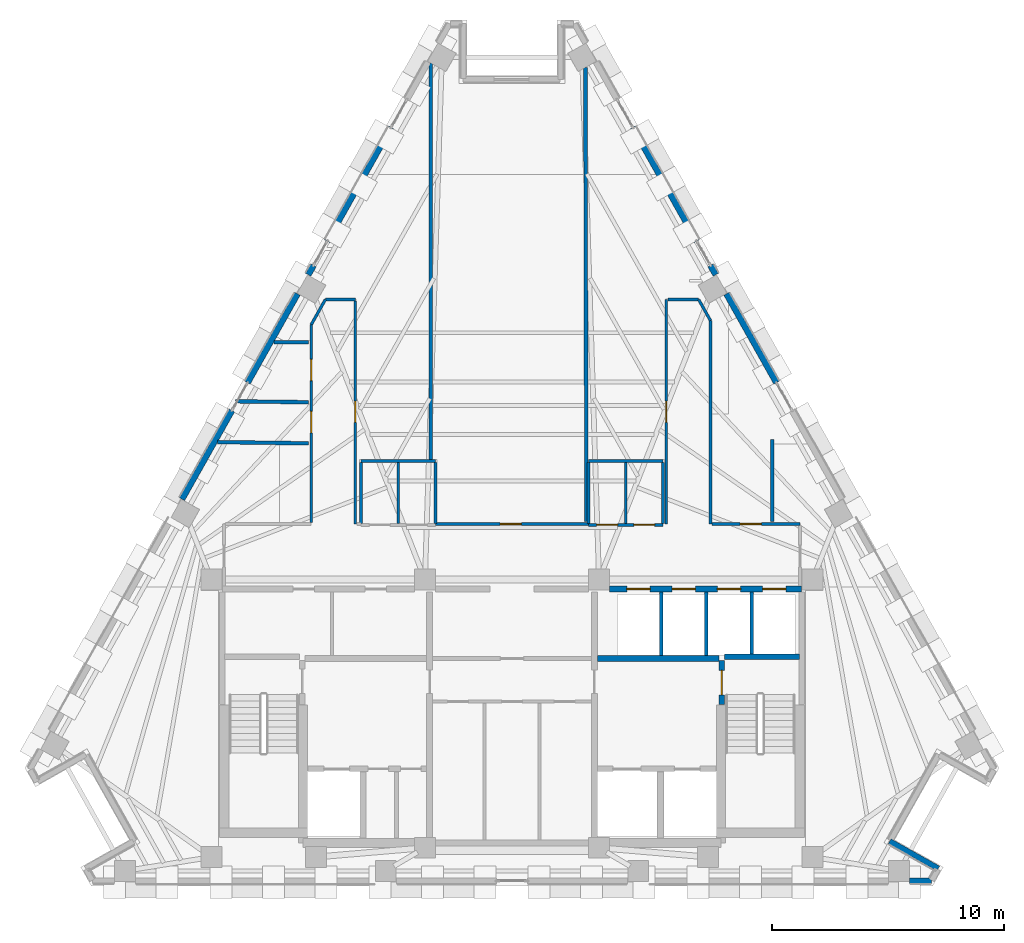
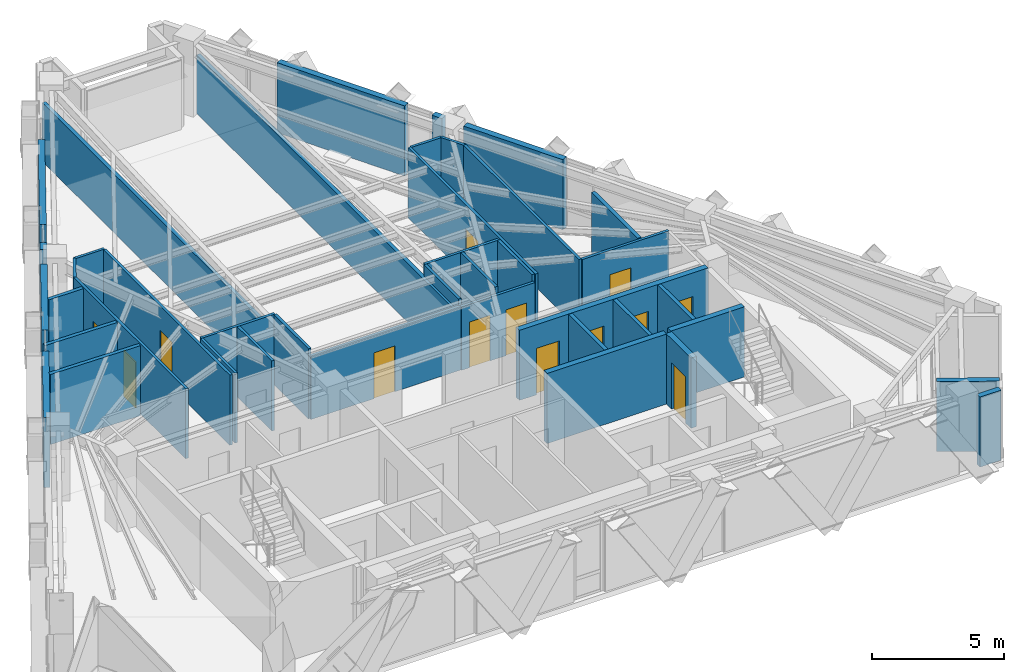
# One storey, part 8 of 12: 41 walls, 13 doors, 13 openings.
"""IFC4 building model written with IfcOpenShell, lengths in metres."""

from ifc_helpers import new_model, si_unit, direction, frame, frame_2d, origin, place, context, subcontext, project, spatial, rectangle, extrude, material, layer, layer_set, type_object, element, fill, save


model = new_model("IFC4")

# Units and contexts
model_context = context("Model", 3, precision=1e-05, world=origin(), true_north=direction((0.0, 1.0)))
body_context = subcontext(model_context, "Body", "Model", "MODEL_VIEW")
ifc_project = project(units=[si_unit("LENGTHUNIT", "METRE"), si_unit("AREAUNIT", "SQUARE_METRE"), si_unit("VOLUMEUNIT", "CUBIC_METRE"), si_unit("PLANEANGLEUNIT", "RADIAN"), si_unit("MASSUNIT", "GRAM", prefix="KILO")], contexts=[model_context])

# Site, building, storey
site_placement = place(None, origin())
site = spatial("IfcSite", under=ifc_project, at=site_placement, CompositionType="ELEMENT")
building_placement = place(site_placement, origin())
building = spatial("IfcBuilding", under=site, at=building_placement, Name="Quenlor Broadcast Tower", CompositionType="ELEMENT")
storey_placement = place(building_placement, frame((0.0, 0.0, 200.89990234375)))
storey = spatial("IfcBuildingStorey", under=building, at=storey_placement, Name="L55", CompositionType="ELEMENT", Elevation=200.89990234375)

# Wall, opening, door
ifc_material_1 = material(Name="Concrete C40/50", Category="concrete")
ifc_layer_1 = layer(ifc_material_1, 0.25)
ifc_layer_set_1 = layer_set([ifc_layer_1], Name="Fire Rated Concrete C40/50 Core Wall 250")
wall_type_1 = type_object("IfcWallType", Name="Fire Rated Concrete C40/50 Core Wall 250", PredefinedType="PARTITIONING", material=ifc_layer_set_1)
wall_1_placement = place(storey_placement, frame((9.0400390625, -10.179931640625, 0.0), z_axis=(0.0, 0.0, 1.0), x_axis=(0.0, 1.0, 0.0)))
wall_1 = element("IfcWall", 1, at=wall_1_placement, inside=storey, type_object=wall_type_1, Name="L55 Interior Wall CW-ST2-DR", PredefinedType="PARTITIONING", context=body_context, shape_type="SweptSolid", body=[
    extrude(rectangle(XDim=1.89990234375, YDim=0.25, at=frame_2d((0.949951171875, 0.0))), origin(), (0.0, 0.0, 1.0), 3.25),
])
opening_1_placement = place(wall_1_placement, frame((0.419921875, 0.0, 0.0)))
opening_1 = element("IfcOpeningElement", 2, at=opening_1_placement, cuts=wall_1, Name="Opening FD-1", PredefinedType="OPENING", context=body_context, shape_type="SweptSolid", body=[
    extrude(rectangle(XDim=1.050048828125, YDim=2.14990234375, at=frame_2d((0.52490234375, 1.074951171875))), frame((0.0, 0.135009765625, 0.0), z_axis=(0.0, -1.0, 0.0), x_axis=(1.0, 0.0, 0.0)), (0.0, 0.0, 1.0), 0.27001953125),
])
ifc_material_2 = material(Name="Fire Rated Steel Door Leaf", Category="steel")
door_type_1 = type_object("IfcDoorType", Name="Fire Isolated Stair Door 1050x2150", OperationType="NOTDEFINED", PredefinedType="DOOR", material=ifc_material_2)
door_1_placement = place(opening_1_placement, origin())
door_1 = element("IfcDoor", 3, at=door_1_placement, inside=storey, type_object=door_type_1, Name="L55 Door DR-ST2", OperationType="SINGLE_SWING_RIGHT", OverallHeight=2.14990234375, OverallWidth=1.050048828125, PredefinedType="DOOR", context=body_context, shape_type="SweptSolid", body=[
    extrude(rectangle(XDim=1.050048828125, YDim=2.14990234375, at=frame_2d((0.52490234375, 1.074951171875))), frame((0.0, 0.02490234375, 0.0), z_axis=(0.0, -1.0, 0.0), x_axis=(1.0, 0.0, 0.0)), (0.0, 0.0, 1.0), 0.050048828125),
])
fill(opening_1, door_1)

# Walls
wall_2_placement = place(storey_placement, frame((9.159912109375, -8.1201171875, 0.0), z_axis=(0.0, 0.0, 1.0), x_axis=(1.0, 0.0, 0.0)))
element("IfcWall", 4, at=wall_2_placement, inside=storey, type_object=wall_type_1, Name="L55 Interior Wall CW-ST2-N", PredefinedType="PARTITIONING", context=body_context, shape_type="SweptSolid", body=[
    extrude(rectangle(XDim=3.219970703125, YDim=0.25, at=frame_2d((1.60986328125, 0.0))), origin(), (0.0, 0.0, 1.0), 3.25),
])
wall_3_placement = place(storey_placement, frame((3.679931640625, -8.199951171875, 0.0), z_axis=(0.0, 0.0, 1.0), x_axis=(1.0, 0.0, 0.0)))
element("IfcWall", 5, at=wall_3_placement, inside=storey, type_object=wall_type_1, Name="L55 Interior Wall CW-FFE-N", PredefinedType="PARTITIONING", context=body_context, shape_type="SweptSolid", body=[
    extrude(rectangle(XDim=5.239990234375, YDim=0.25, at=frame_2d((2.6201171875, 0.0))), origin(), (0.0, 0.0, 1.0), 3.25),
])

# Wall, openings, doors
wall_4_placement = place(storey_placement, frame((4.201904296875, -5.199951171875, 0.0), z_axis=(0.0, 0.0, 1.0), x_axis=(1.0, 0.0, 0.0)))
wall_4 = element("IfcWall", 6, at=wall_4_placement, inside=storey, type_object=wall_type_1, Name="L55 Interior Wall CW-N-E", PredefinedType="PARTITIONING", context=body_context, shape_type="SweptSolid", body=[
    extrude(rectangle(XDim=8.278076171875, YDim=0.25, at=frame_2d((4.13916015625, 0.0))), origin(), (0.0, 0.0, 1.0), 3.25),
])
opening_2_placement = place(wall_4_placement, frame((0.748046875, 0.0, 0.0)))
opening_2 = element("IfcOpeningElement", 7, at=opening_2_placement, cuts=wall_4, Name="Opening LD-PL-H1", PredefinedType="OPENING", context=body_context, shape_type="SweptSolid", body=[
    extrude(rectangle(XDim=1.0, YDim=2.14990234375, at=frame_2d((0.5, 1.074951171875))), frame((0.0, 0.135009765625, 0.0), z_axis=(0.0, -1.0, 0.0), x_axis=(1.0, 0.0, 0.0)), (0.0, 0.0, 1.0), 0.27001953125),
])
opening_3_placement = place(wall_4_placement, frame((2.697998046875, 0.0, 0.0)))
opening_3 = element("IfcOpeningElement", 8, at=opening_3_placement, cuts=wall_4, Name="Opening LD-PL-H2", PredefinedType="OPENING", context=body_context, shape_type="SweptSolid", body=[
    extrude(rectangle(XDim=1.0, YDim=2.14990234375, at=frame_2d((0.5, 1.074951171875))), frame((0.0, 0.135009765625, 0.0), z_axis=(0.0, -1.0, 0.0), x_axis=(1.0, 0.0, 0.0)), (0.0, 0.0, 1.0), 0.27001953125),
])
opening_4_placement = place(wall_4_placement, frame((4.64794921875, 0.0, 0.0)))
opening_4 = element("IfcOpeningElement", 9, at=opening_4_placement, cuts=wall_4, Name="Opening LD-PL-H3", PredefinedType="OPENING", context=body_context, shape_type="SweptSolid", body=[
    extrude(rectangle(XDim=1.0, YDim=2.14990234375, at=frame_2d((0.5, 1.074951171875))), frame((0.0, 0.135009765625, 0.0), z_axis=(0.0, -1.0, 0.0), x_axis=(1.0, 0.0, 0.0)), (0.0, 0.0, 1.0), 0.27001953125),
])
opening_5_placement = place(wall_4_placement, frame((6.597900390625, 0.0, 0.0)))
opening_5 = element("IfcOpeningElement", 10, at=opening_5_placement, cuts=wall_4, Name="Opening LD-PL-H4", PredefinedType="OPENING", context=body_context, shape_type="SweptSolid", body=[
    extrude(rectangle(XDim=1.0, YDim=2.14990234375, at=frame_2d((0.5, 1.074951171875))), frame((0.0, 0.135009765625, 0.0), z_axis=(0.0, -1.0, 0.0), x_axis=(1.0, 0.0, 0.0)), (0.0, 0.0, 1.0), 0.27001953125),
])
ifc_material_3 = material(Name="Brushed Stainless Steel", Category="steel")
door_type_2 = type_object("IfcDoorType", Name="Passenger Lift Sliding Landing Door 1000x2150", OperationType="NOTDEFINED", PredefinedType="DOOR", material=ifc_material_3)
door_2_placement = place(opening_2_placement, origin())
door_2 = element("IfcDoor", 11, at=door_2_placement, inside=storey, type_object=door_type_2, Name="L55 Door LD-PL-H1", OperationType="SLIDING_TO_RIGHT", OverallHeight=2.14990234375, OverallWidth=1.0, PredefinedType="DOOR", context=body_context, shape_type="SweptSolid", body=[
    extrude(rectangle(XDim=1.0, YDim=2.14990234375, at=frame_2d((0.5, 1.074951171875))), frame((0.0, 0.02490234375, 0.0), z_axis=(0.0, -1.0, 0.0), x_axis=(1.0, 0.0, 0.0)), (0.0, 0.0, 1.0), 0.050048828125),
])
fill(opening_2, door_2)
door_3_placement = place(opening_3_placement, origin())
door_3 = element("IfcDoor", 12, at=door_3_placement, inside=storey, type_object=door_type_2, Name="L55 Door LD-PL-H2", OperationType="SLIDING_TO_RIGHT", OverallHeight=2.14990234375, OverallWidth=1.0, PredefinedType="DOOR", context=body_context, shape_type="SweptSolid", body=[
    extrude(rectangle(XDim=1.0, YDim=2.14990234375, at=frame_2d((0.5, 1.074951171875))), frame((0.0, 0.02490234375, 0.0), z_axis=(0.0, -1.0, 0.0), x_axis=(1.0, 0.0, 0.0)), (0.0, 0.0, 1.0), 0.050048828125),
])
fill(opening_3, door_3)
door_4_placement = place(opening_4_placement, origin())
door_4 = element("IfcDoor", 13, at=door_4_placement, inside=storey, type_object=door_type_2, Name="L55 Door LD-PL-H3", OperationType="SLIDING_TO_RIGHT", OverallHeight=2.14990234375, OverallWidth=1.0, PredefinedType="DOOR", context=body_context, shape_type="SweptSolid", body=[
    extrude(rectangle(XDim=1.0, YDim=2.14990234375, at=frame_2d((0.5, 1.074951171875))), frame((0.0, 0.02490234375, 0.0), z_axis=(0.0, -1.0, 0.0), x_axis=(1.0, 0.0, 0.0)), (0.0, 0.0, 1.0), 0.050048828125),
])
fill(opening_4, door_4)
door_5_placement = place(opening_5_placement, origin())
door_5 = element("IfcDoor", 14, at=door_5_placement, inside=storey, type_object=door_type_2, Name="L55 Door LD-PL-H4", OperationType="SLIDING_TO_RIGHT", OverallHeight=2.14990234375, OverallWidth=1.0, PredefinedType="DOOR", context=body_context, shape_type="SweptSolid", body=[
    extrude(rectangle(XDim=1.0, YDim=2.14990234375, at=frame_2d((0.5, 1.074951171875))), frame((0.0, 0.02490234375, 0.0), z_axis=(0.0, -1.0, 0.0), x_axis=(1.0, 0.0, 0.0)), (0.0, 0.0, 1.0), 0.050048828125),
])
fill(opening_5, door_5)

# Walls
ifc_material_4 = material(Name="Gypsum Fireboard Partition", Category="other")
ifc_layer_2 = layer(ifc_material_4, 0.159912109375)
ifc_layer_set_2 = layer_set([ifc_layer_2], Name="Fire Rated Shaft and Corridor Partition 160")
wall_type_2 = type_object("IfcWallType", Name="Fire Rated Shaft and Corridor Partition 160", PredefinedType="PARTITIONING", material=ifc_layer_set_2)
for number, where, z_axis, x_axis, name in (
    (15, (6.425048828125, -8.072998046875, 0.0), (0.0, 0.0, 1.0), (0.0, 1.0, 0.0), "L55 Interior Wall CW-PLH-D1"),
    (16, (8.375, -8.072998046875, 0.0), (0.0, 0.0, 1.0), (0.0, 1.0, 0.0), "L55 Interior Wall CW-PLH-D2"),
):
    element("IfcWall", number, at=place(storey_placement, frame(where, z_axis=z_axis, x_axis=x_axis)), inside=storey, type_object=wall_type_2, Name=name, PredefinedType="PARTITIONING", context=body_context, shape_type="SweptSolid", body=[
        extrude(rectangle(XDim=2.73291015625, YDim=0.159912109375, at=frame_2d((1.366455078125, 0.0))), origin(), (0.0, 0.0, 1.0), 3.25),
    ])
wall_5_placement = place(storey_placement, frame((10.324951171875, -7.992919921875, 0.0), z_axis=(0.0, 0.0, 1.0), x_axis=(0.0, 1.0, 0.0)))
element("IfcWall", 17, at=wall_5_placement, inside=storey, type_object=wall_type_2, Name="L55 Interior Wall CW-PLH-D3", PredefinedType="PARTITIONING", context=body_context, shape_type="SweptSolid", body=[
    extrude(rectangle(XDim=2.65283203125, YDim=0.159912109375, at=frame_2d((1.326416015625, 0.0))), origin(), (0.0, 0.0, 1.0), 3.25),
])
wall_6_placement = place(storey_placement, frame((3.205810546875, -2.2900390625, 0.0), z_axis=(0.0, 0.0, 1.0), x_axis=(-0.002234728936, 0.99999750299, 0.0)))
element("IfcWall", 18, at=wall_6_placement, inside=storey, type_object=wall_type_2, Name="L55 Interior Wall PW-DV-01", PredefinedType="PARTITIONING", context=body_context, shape_type="SweptSolid", body=[
    extrude(rectangle(XDim=19.555419921875, YDim=0.159912109375, at=frame_2d((9.77783203125, 0.0))), origin(), (0.0, 0.0, 1.0), 2.721923828125),
])
wall_7_placement = place(storey_placement, frame((-3.5, 17.455322265625, 0.0), z_axis=(0.0, 0.0, 1.0), x_axis=(0.0, -1.0, 0.0)))
element("IfcWall", 19, at=wall_7_placement, inside=storey, type_object=wall_type_2, Name="L55 Interior Wall PW-DV-02", PredefinedType="PARTITIONING", context=body_context, shape_type="SweptSolid", body=[
    extrude(rectangle(XDim=17.083251953125, YDim=0.159912109375, at=frame_2d((8.54150390625, 0.0))), origin(), (0.0, 0.0, 1.0), 2.721923828125),
])
wall_8_placement = place(storey_placement, frame((-8.760009765625, 5.429931640625, 0.0), z_axis=(0.0, 0.0, 1.0), x_axis=(-1.0, 0.0, 0.0)))
element("IfcWall", 20, at=wall_8_placement, inside=storey, type_object=wall_type_2, Name="L55 Interior Wall PW-DV-03", PredefinedType="PARTITIONING", context=body_context, shape_type="SweptSolid", body=[
    extrude(rectangle(XDim=1.5009765625, YDim=0.159912109375, at=frame_2d((0.75048828125, 0.0))), origin(), (0.0, 0.0, 1.0), 3.25),
])
wall_9_placement = place(storey_placement, frame((-8.760009765625, 2.84375, 0.0), z_axis=(0.0, 0.0, 1.0), x_axis=(-0.999923030771, 0.012406955015, 0.0)))
element("IfcWall", 21, at=wall_9_placement, inside=storey, type_object=wall_type_2, Name="L55 Interior Wall PW-DV-04", PredefinedType="PARTITIONING", context=body_context, shape_type="SweptSolid", body=[
    extrude(rectangle(XDim=3.1484375, YDim=0.159912109375, at=frame_2d((1.57421875, 0.0))), origin(), (0.0, 0.0, 1.0), 3.25),
])
wall_10_placement = place(storey_placement, frame((-8.760009765625, 1.072509765625, 0.0), z_axis=(0.0, 0.0, 1.0), x_axis=(-0.999901887135, 0.014007715871, 0.0)))
element("IfcWall", 22, at=wall_10_placement, inside=storey, type_object=wall_type_2, Name="L55 Interior Wall PW-DV-05", PredefinedType="PARTITIONING", context=body_context, shape_type="SweptSolid", body=[
    extrude(rectangle(XDim=3.921630859375, YDim=0.159912109375, at=frame_2d((1.9609375, 0.0))), origin(), (0.0, 0.0, 1.0), 3.25),
])
wall_11_placement = place(storey_placement, frame((11.21728515625, 1.22900390625, 0.0), z_axis=(0.0, 0.0, 1.0), x_axis=(0.0, -1.0, 0.0)))
element("IfcWall", 23, at=wall_11_placement, inside=storey, type_object=wall_type_2, Name="L55 Interior Wall PW-DV-06", PredefinedType="PARTITIONING", context=body_context, shape_type="SweptSolid", body=[
    extrude(rectangle(XDim=3.51904296875, YDim=0.159912109375, at=frame_2d((1.759521484375, 0.0))), origin(), (0.0, 0.0, 1.0), 3.25),
])
ifc_material_5 = material(Name="Gypsum Plasterboard Partition", Category="other")
ifc_layer_3 = layer(ifc_material_5, 0.1201171875)
ifc_layer_set_3 = layer_set([ifc_layer_3], Name="Standard Office Partition 120")
wall_type_3 = type_object("IfcWallType", Name="Standard Office Partition 120", PredefinedType="PARTITIONING", material=ifc_layer_set_3)
wall_12_placement = place(storey_placement, frame((-6.510009765625, 0.31005859375, 0.0), z_axis=(0.0, 0.0, 1.0), x_axis=(1.0, 0.0, 0.0)))
element("IfcWall", 24, at=wall_12_placement, inside=storey, type_object=wall_type_3, Name="L55 Interior Wall PW-WCW-N", PredefinedType="PARTITIONING", context=body_context, shape_type="SweptSolid", body=[
    extrude(rectangle(XDim=3.219970703125, YDim=0.1201171875, at=frame_2d((1.60986328125, 0.0))), origin(), (0.0, 0.0, 1.0), 3.25),
])
for number, where, z_axis, x_axis, name in (
    (25, (-6.510009765625, -2.3779296875, 0.0), (0.0, 0.0, 1.0), (0.0, 1.0, 0.0), "L55 Interior Wall PW-WCW-W"),
    (26, (-4.89990234375, -2.3779296875, 0.0), (0.0, 0.0, 1.0), (0.0, 1.0, 0.0), "L55 Interior Wall PW-WCW-M"),
    (27, (-3.2900390625, -2.3779296875, 0.0), (0.0, 0.0, 1.0), (0.0, 1.0, 0.0), "L55 Interior Wall PW-WCW-E"),
):
    element("IfcWall", number, at=place(storey_placement, frame(where, z_axis=z_axis, x_axis=x_axis)), inside=storey, type_object=wall_type_3, Name=name, PredefinedType="PARTITIONING", context=body_context, shape_type="SweptSolid", body=[
        extrude(rectangle(XDim=2.6259765625, YDim=0.1201171875, at=frame_2d((1.31298828125, 0.0))), origin(), (0.0, 0.0, 1.0), 3.25),
    ])

# Wall, openings, doors
wall_13_placement = place(storey_placement, frame((3.2900390625, -2.43994140625, 0.0), z_axis=(0.0, 0.0, 1.0), x_axis=(1.0, 0.0, 0.0)))
wall_13 = element("IfcWall", 28, at=wall_13_placement, inside=storey, type_object=wall_type_3, Name="L55 Interior Wall PW-WCE-S", PredefinedType="PARTITIONING", context=body_context, shape_type="SweptSolid", body=[
    extrude(rectangle(XDim=3.219970703125, YDim=0.1201171875, at=frame_2d((1.60986328125, 0.0))), origin(), (0.0, 0.0, 1.0), 2.94287109375),
])
opening_6_placement = place(wall_13_placement, frame((0.360107421875, 0.0, 0.0)))
opening_6 = element("IfcOpeningElement", 29, at=opening_6_placement, cuts=wall_13, Name="Opening ID-3", PredefinedType="OPENING", context=body_context, shape_type="SweptSolid", body=[
    extrude(rectangle(XDim=0.89990234375, YDim=2.1201171875, at=frame_2d((0.449951171875, 1.06005859375))), frame((0.0, 0.070068359375, 0.0), z_axis=(0.0, -1.0, 0.0), x_axis=(1.0, 0.0, 0.0)), (0.0, 0.0, 1.0), 0.14013671875),
])
opening_7_placement = place(wall_13_placement, frame((1.9599609375, 0.0, 0.0)))
opening_7 = element("IfcOpeningElement", 30, at=opening_7_placement, cuts=wall_13, Name="Opening ID-3", PredefinedType="OPENING", context=body_context, shape_type="SweptSolid", body=[
    extrude(rectangle(XDim=0.89990234375, YDim=2.1201171875, at=frame_2d((0.449951171875, 1.06005859375))), frame((0.0, 0.070068359375, 0.0), z_axis=(0.0, -1.0, 0.0), x_axis=(1.0, 0.0, 0.0)), (0.0, 0.0, 1.0), 0.14013671875),
])
ifc_material_6 = material(Name="Moisture Resistant Timber Oak", Category="wood")
door_type_3 = type_object("IfcDoorType", Name="Washroom Privacy Door 900x2120", OperationType="NOTDEFINED", PredefinedType="DOOR", material=ifc_material_6)
door_6_placement = place(opening_6_placement, origin())
door_6 = element("IfcDoor", 31, at=door_6_placement, inside=storey, type_object=door_type_3, Name="L55 Door DR-MWC", OperationType="SINGLE_SWING_LEFT", OverallHeight=2.1201171875, OverallWidth=0.89990234375, PredefinedType="DOOR", context=body_context, shape_type="SweptSolid", body=[
    extrude(rectangle(XDim=0.89990234375, YDim=2.1201171875, at=frame_2d((0.449951171875, 1.06005859375))), frame((0.0, 0.02490234375, 0.0), z_axis=(0.0, -1.0, 0.0), x_axis=(1.0, 0.0, 0.0)), (0.0, 0.0, 1.0), 0.050048828125),
])
fill(opening_6, door_6)
door_7_placement = place(opening_7_placement, origin())
door_7 = element("IfcDoor", 32, at=door_7_placement, inside=storey, type_object=door_type_3, Name="L55 Door DR-FWC", OperationType="SINGLE_SWING_RIGHT", OverallHeight=2.1201171875, OverallWidth=0.89990234375, PredefinedType="DOOR", context=body_context, shape_type="SweptSolid", body=[
    extrude(rectangle(XDim=0.89990234375, YDim=2.1201171875, at=frame_2d((0.449951171875, 1.06005859375))), frame((0.0, 0.02490234375, 0.0), z_axis=(0.0, -1.0, 0.0), x_axis=(1.0, 0.0, 0.0)), (0.0, 0.0, 1.0), 0.050048828125),
])
fill(opening_7, door_7)

# Walls
wall_14_placement = place(storey_placement, frame((3.2900390625, 0.31005859375, 0.0), z_axis=(0.0, 0.0, 1.0), x_axis=(1.0, 0.0, 0.0)))
element("IfcWall", 33, at=wall_14_placement, inside=storey, type_object=wall_type_3, Name="L55 Interior Wall PW-WCE-N", PredefinedType="PARTITIONING", context=body_context, shape_type="SweptSolid", body=[
    extrude(rectangle(XDim=3.219970703125, YDim=0.1201171875, at=frame_2d((1.60986328125, 0.0))), origin(), (0.0, 0.0, 1.0), 3.25),
])
for number, where, z_axis, x_axis, name in (
    (34, (3.2900390625, -2.3779296875, 0.0), (0.0, 0.0, 1.0), (0.0, 1.0, 0.0), "L55 Interior Wall PW-WCE-W"),
    (35, (4.89990234375, -2.3779296875, 0.0), (0.0, 0.0, 1.0), (0.0, 1.0, 0.0), "L55 Interior Wall PW-WCE-M"),
    (36, (6.510009765625, -2.3779296875, 0.0), (0.0, 0.0, 1.0), (0.0, 1.0, 0.0), "L55 Interior Wall PW-WCE-E"),
):
    element("IfcWall", number, at=place(storey_placement, frame(where, z_axis=z_axis, x_axis=x_axis)), inside=storey, type_object=wall_type_3, Name=name, PredefinedType="PARTITIONING", context=body_context, shape_type="SweptSolid", body=[
        extrude(rectangle(XDim=2.6259765625, YDim=0.1201171875, at=frame_2d((1.31298828125, 0.0))), origin(), (0.0, 0.0, 1.0), 3.25),
    ])

# Wall, openings, doors
wall_15_placement = place(storey_placement, frame((-8.64990234375, -2.337890625, 0.0), z_axis=(0.0, 0.0, 1.0), x_axis=(0.0, 1.0, 0.0)))
wall_15 = element("IfcWall", 37, at=wall_15_placement, inside=storey, type_object=wall_type_3, Name="L55 Interior Wall PW-CR-03", PredefinedType="PARTITIONING", context=body_context, shape_type="SweptSolid", body=[
    extrude(rectangle(XDim=8.52490234375, YDim=0.1201171875, at=frame_2d((4.262451171875, 0.0))), origin(), (0.0, 0.0, 1.0), 3.25),
])
opening_8_placement = place(wall_15_placement, frame((6.10888671875, 0.0, 0.0)))
opening_8 = element("IfcOpeningElement", 38, at=opening_8_placement, cuts=wall_15, Name="Opening ID-1", PredefinedType="OPENING", context=body_context, shape_type="SweptSolid", body=[
    extrude(rectangle(XDim=0.919921875, YDim=2.1201171875, at=frame_2d((0.4599609375, 1.06005859375))), frame((0.0, 0.070068359375, 0.0), z_axis=(0.0, -1.0, 0.0), x_axis=(1.0, 0.0, 0.0)), (0.0, 0.0, 1.0), 0.14013671875),
])
opening_9_placement = place(wall_15_placement, frame((3.863037109375, 0.0, 0.0)))
opening_9 = element("IfcOpeningElement", 39, at=opening_9_placement, cuts=wall_15, Name="Opening ID-1", PredefinedType="OPENING", context=body_context, shape_type="SweptSolid", body=[
    extrude(rectangle(XDim=0.919921875, YDim=2.1201171875, at=frame_2d((0.4599609375, 1.06005859375))), frame((0.0, 0.070068359375, 0.0), z_axis=(0.0, -1.0, 0.0), x_axis=(1.0, 0.0, 0.0)), (0.0, 0.0, 1.0), 0.14013671875),
])
ifc_material_7 = material(Name="Solid Core Timber Oak", Category="wood")
door_type_4 = type_object("IfcDoorType", Name="Single Leaf Timber Office Door 920x2120", OperationType="NOTDEFINED", PredefinedType="DOOR", material=ifc_material_7)
door_8_placement = place(opening_8_placement, origin())
door_8 = element("IfcDoor", 40, at=door_8_placement, inside=storey, type_object=door_type_4, Name="L55 Door DR-RM04", OperationType="SINGLE_SWING_LEFT", OverallHeight=2.1201171875, OverallWidth=0.919921875, PredefinedType="DOOR", context=body_context, shape_type="SweptSolid", body=[
    extrude(rectangle(XDim=0.919921875, YDim=2.1201171875, at=frame_2d((0.4599609375, 1.06005859375))), frame((0.0, 0.02490234375, 0.0), z_axis=(0.0, -1.0, 0.0), x_axis=(1.0, 0.0, 0.0)), (0.0, 0.0, 1.0), 0.050048828125),
])
fill(opening_8, door_8)
door_9_placement = place(opening_9_placement, origin())
door_9 = element("IfcDoor", 41, at=door_9_placement, inside=storey, type_object=door_type_4, Name="L55 Door DR-RM05", OperationType="SINGLE_SWING_RIGHT", OverallHeight=2.1201171875, OverallWidth=0.919921875, PredefinedType="DOOR", context=body_context, shape_type="SweptSolid", body=[
    extrude(rectangle(XDim=0.919921875, YDim=2.1201171875, at=frame_2d((0.4599609375, 1.06005859375))), frame((0.0, 0.02490234375, 0.0), z_axis=(0.0, -1.0, 0.0), x_axis=(1.0, 0.0, 0.0)), (0.0, 0.0, 1.0), 0.050048828125),
])
fill(opening_9, door_9)

# Walls
wall_16_placement = place(storey_placement, frame((-8.64892578125, 6.18896484375, 0.0), z_axis=(0.0, 0.0, 1.0), x_axis=(0.490298618985, 0.871554510183, 0.0)))
element("IfcWall", 42, at=wall_16_placement, inside=storey, type_object=wall_type_3, Name="L55 Interior Wall PW-CR-04", PredefinedType="PARTITIONING", context=body_context, shape_type="SweptSolid", body=[
    extrude(rectangle(XDim=1.240478515625, YDim=0.1201171875, at=frame_2d((0.6201171875, 0.0))), origin(), (0.0, 0.0, 1.0), 3.25),
])
wall_17_placement = place(storey_placement, frame((-8.03662109375, 7.27001953125, 0.0), z_axis=(0.0, 0.0, 1.0), x_axis=(1.0, 0.0, 0.0)))
element("IfcWall", 43, at=wall_17_placement, inside=storey, type_object=wall_type_3, Name="L55 Interior Wall PW-CR-05", PredefinedType="PARTITIONING", context=body_context, shape_type="SweptSolid", body=[
    extrude(rectangle(XDim=1.28662109375, YDim=0.1201171875, at=frame_2d((0.643310546875, 0.0))), origin(), (0.0, 0.0, 1.0), 3.25),
])

# Wall, opening, door
wall_18_placement = place(storey_placement, frame((-6.75, 7.2080078125, 0.0), z_axis=(0.0, 0.0, 1.0), x_axis=(0.0, -1.0, 0.0)))
wall_18 = element("IfcWall", 44, at=wall_18_placement, inside=storey, type_object=wall_type_3, Name="L55 Interior Wall PW-CR-06", PredefinedType="PARTITIONING", context=body_context, shape_type="SweptSolid", body=[
    extrude(rectangle(XDim=9.60791015625, YDim=0.1201171875, at=frame_2d((4.803955078125, 0.0))), origin(), (0.0, 0.0, 1.0), 3.25),
])
opening_10_placement = place(wall_18_placement, frame((4.31298828125, 0.0, 0.0)))
opening_10 = element("IfcOpeningElement", 45, at=opening_10_placement, cuts=wall_18, Name="Opening ID-1", PredefinedType="OPENING", context=body_context, shape_type="SweptSolid", body=[
    extrude(rectangle(XDim=0.919921875, YDim=2.1201171875, at=frame_2d((0.4599609375, 1.06005859375))), frame((0.0, 0.070068359375, 0.0), z_axis=(0.0, -1.0, 0.0), x_axis=(1.0, 0.0, 0.0)), (0.0, 0.0, 1.0), 0.14013671875),
])
door_10_placement = place(opening_10_placement, origin())
door_10 = element("IfcDoor", 46, at=door_10_placement, inside=storey, type_object=door_type_4, Name="L55 Door DR-RM02", OperationType="SINGLE_SWING_LEFT", OverallHeight=2.1201171875, OverallWidth=0.919921875, PredefinedType="DOOR", context=body_context, shape_type="SweptSolid", body=[
    extrude(rectangle(XDim=0.919921875, YDim=2.1201171875, at=frame_2d((0.4599609375, 1.06005859375))), frame((0.0, 0.02490234375, 0.0), z_axis=(0.0, -1.0, 0.0), x_axis=(1.0, 0.0, 0.0)), (0.0, 0.0, 1.0), 0.050048828125),
])
fill(opening_10, door_10)

wall_19_placement = place(storey_placement, frame((-3.2880859375, -2.39990234375, 0.0), z_axis=(0.0, 0.0, 1.0), x_axis=(1.0, 0.0, 0.0)))
wall_19 = element("IfcWall", 47, at=wall_19_placement, inside=storey, type_object=wall_type_3, Name="L55 Interior Wall PW-CR-07S2", PredefinedType="PARTITIONING", context=body_context, shape_type="SweptSolid", body=[
    extrude(rectangle(XDim=6.576171875, YDim=0.1201171875, at=frame_2d((3.2880859375, 0.0))), origin(), (0.0, 0.0, 1.0), 2.94287109375),
])
opening_11_placement = place(wall_19_placement, frame((2.77294921875, 0.0, 0.0)))
opening_11 = element("IfcOpeningElement", 48, at=opening_11_placement, cuts=wall_19, Name="Opening ID-1", PredefinedType="OPENING", context=body_context, shape_type="SweptSolid", body=[
    extrude(rectangle(XDim=0.919921875, YDim=2.1201171875, at=frame_2d((0.4599609375, 1.06005859375))), frame((0.0, 0.070068359375, 0.0), z_axis=(0.0, -1.0, 0.0), x_axis=(1.0, 0.0, 0.0)), (0.0, 0.0, 1.0), 0.14013671875),
])
door_11_placement = place(opening_11_placement, origin())
door_11 = element("IfcDoor", 49, at=door_11_placement, inside=storey, type_object=door_type_4, Name="L55 Door DR-RM03", OperationType="SINGLE_SWING_RIGHT", OverallHeight=2.1201171875, OverallWidth=0.919921875, PredefinedType="DOOR", context=body_context, shape_type="SweptSolid", body=[
    extrude(rectangle(XDim=0.919921875, YDim=2.1201171875, at=frame_2d((0.4599609375, 1.06005859375))), frame((0.0, 0.02490234375, 0.0), z_axis=(0.0, -1.0, 0.0), x_axis=(1.0, 0.0, 0.0)), (0.0, 0.0, 1.0), 0.050048828125),
])
fill(opening_11, door_11)

wall_20_placement = place(storey_placement, frame((6.64990234375, -2.39990234375, 0.0), z_axis=(0.0, 0.0, 1.0), x_axis=(0.0, 1.0, 0.0)))
wall_20 = element("IfcWall", 50, at=wall_20_placement, inside=storey, type_object=wall_type_3, Name="L55 Interior Wall PW-CR-08", PredefinedType="PARTITIONING", context=body_context, shape_type="SweptSolid", body=[
    extrude(rectangle(XDim=9.669921875, YDim=0.1201171875, at=frame_2d((4.8349609375, 0.0))), origin(), (0.0, 0.0, 1.0), 3.25),
])
opening_12_placement = place(wall_20_placement, frame((4.375, 0.0, 0.0)))
opening_12 = element("IfcOpeningElement", 51, at=opening_12_placement, cuts=wall_20, Name="Opening ID-1", PredefinedType="OPENING", context=body_context, shape_type="SweptSolid", body=[
    extrude(rectangle(XDim=0.919921875, YDim=2.1201171875, at=frame_2d((0.4599609375, 1.06005859375))), frame((0.0, 0.070068359375, 0.0), z_axis=(0.0, -1.0, 0.0), x_axis=(1.0, 0.0, 0.0)), (0.0, 0.0, 1.0), 0.14013671875),
])
door_12_placement = place(opening_12_placement, origin())
door_12 = element("IfcDoor", 52, at=door_12_placement, inside=storey, type_object=door_type_4, Name="L55 Door DR-RM01", OperationType="SINGLE_SWING_RIGHT", OverallHeight=2.1201171875, OverallWidth=0.919921875, PredefinedType="DOOR", context=body_context, shape_type="SweptSolid", body=[
    extrude(rectangle(XDim=0.919921875, YDim=2.1201171875, at=frame_2d((0.4599609375, 1.06005859375))), frame((0.0, 0.02490234375, 0.0), z_axis=(0.0, -1.0, 0.0), x_axis=(1.0, 0.0, 0.0)), (0.0, 0.0, 1.0), 0.050048828125),
])
fill(opening_12, door_12)

# Walls
wall_21_placement = place(storey_placement, frame((6.7119140625, 7.27001953125, 0.0), z_axis=(0.0, 0.0, 1.0), x_axis=(1.0, 0.0, 0.0)))
element("IfcWall", 53, at=wall_21_placement, inside=storey, type_object=wall_type_3, Name="L55 Interior Wall PW-CR-09", PredefinedType="PARTITIONING", context=body_context, shape_type="SweptSolid", body=[
    extrude(rectangle(XDim=1.328857421875, YDim=0.1201171875, at=frame_2d((0.66455078125, 0.0))), origin(), (0.0, 0.0, 1.0), 3.25),
])
wall_22_placement = place(storey_placement, frame((8.042724609375, 7.266357421875, 0.0), z_axis=(0.0, 0.0, 1.0), x_axis=(0.490384481046, -0.871506202359, 0.0)))
element("IfcWall", 54, at=wall_22_placement, inside=storey, type_object=wall_type_3, Name="L55 Interior Wall PW-CR-10", PredefinedType="PARTITIONING", context=body_context, shape_type="SweptSolid", body=[
    extrude(rectangle(XDim=1.034423828125, YDim=0.1201171875, at=frame_2d((0.51708984375, 0.0))), origin(), (0.0, 0.0, 1.0), 3.25),
])
wall_23_placement = place(storey_placement, frame((8.550048828125, 6.362548828125, 0.0), z_axis=(0.0, 0.0, 1.0), x_axis=(0.0, -1.0, 0.0)))
element("IfcWall", 55, at=wall_23_placement, inside=storey, type_object=wall_type_3, Name="L55 Interior Wall PW-CR-11", PredefinedType="PARTITIONING", context=body_context, shape_type="SweptSolid", body=[
    extrude(rectangle(XDim=8.762451171875, YDim=0.1201171875, at=frame_2d((4.38134765625, 0.0))), origin(), (0.0, 0.0, 1.0), 3.25),
])

# Wall, opening, door
wall_24_placement = place(storey_placement, frame((8.612060546875, -2.39990234375, 0.0), z_axis=(0.0, 0.0, 1.0), x_axis=(1.0, 0.0, 0.0)))
wall_24 = element("IfcWall", 56, at=wall_24_placement, inside=storey, type_object=wall_type_3, Name="L55 Interior Wall PW-CR-12", PredefinedType="PARTITIONING", context=body_context, shape_type="SweptSolid", body=[
    extrude(rectangle(XDim=3.7978515625, YDim=0.1201171875, at=frame_2d((1.89892578125, 0.0))), origin(), (0.0, 0.0, 1.0), 3.25),
])
opening_13_placement = place(wall_24_placement, frame((1.217041015625, 0.0, 0.0)))
opening_13 = element("IfcOpeningElement", 57, at=opening_13_placement, cuts=wall_24, Name="Opening ID-1", PredefinedType="OPENING", context=body_context, shape_type="SweptSolid", body=[
    extrude(rectangle(XDim=0.919921875, YDim=2.1201171875, at=frame_2d((0.4599609375, 1.06005859375))), frame((0.0, 0.070068359375, 0.0), z_axis=(0.0, -1.0, 0.0), x_axis=(1.0, 0.0, 0.0)), (0.0, 0.0, 1.0), 0.14013671875),
])
door_13_placement = place(opening_13_placement, origin())
door_13 = element("IfcDoor", 58, at=door_13_placement, inside=storey, type_object=door_type_4, Name="L55 Door DR-RM06", OperationType="SINGLE_SWING_LEFT", OverallHeight=2.1201171875, OverallWidth=0.919921875, PredefinedType="DOOR", context=body_context, shape_type="SweptSolid", body=[
    extrude(rectangle(XDim=0.919921875, YDim=2.1201171875, at=frame_2d((0.4599609375, 1.06005859375))), frame((0.0, 0.02490234375, 0.0), z_axis=(0.0, -1.0, 0.0), x_axis=(1.0, 0.0, 0.0)), (0.0, 0.0, 1.0), 0.050048828125),
])
fill(opening_13, door_13)

# Walls
ifc_material_8 = material(Name="Precast concrete C40/50", Category="concrete")
ifc_layer_4 = layer(ifc_material_8, 0.239990234375)
ifc_layer_set_4 = layer_set([ifc_layer_4], Name="Terrace Threshold Precast Concrete C40/50 Wall 240")
wall_type_4 = type_object("IfcWallType", Name="Terrace Threshold Precast Concrete C40/50 Wall 240", PredefinedType="STANDARD", material=ifc_layer_set_4)
wall_25_placement = place(storey_placement, frame((18.06591796875, -17.77490234375, 0.0), z_axis=(0.0, 0.0, 1.0), x_axis=(-1.0, 0.0, 0.0)))
element("IfcWall", 59, at=wall_25_placement, inside=storey, type_object=wall_type_4, Name="L55 Exterior Wall L55-SHD-SS0", PredefinedType="STANDARD", context=body_context, shape_type="SweptSolid", body=[
    extrude(rectangle(XDim=0.93505859375, YDim=0.239990234375, at=frame_2d((0.467529296875, 0.0))), origin(), (0.0, 0.0, 1.0), 3.25),
])
wall_26_placement = place(storey_placement, frame((18.365966796875, -17.246826171875, 0.0), z_axis=(0.0, 0.0, 1.0), x_axis=(-0.871597270235, 0.490222600988, 0.0)))
element("IfcWall", 60, at=wall_26_placement, inside=storey, type_object=wall_type_4, Name="L55 Exterior Wall L55-CNR-01", PredefinedType="STANDARD", context=body_context, shape_type="SweptSolid", body=[
    extrude(rectangle(XDim=2.39990234375, YDim=0.239990234375, at=frame_2d((1.199951171875, 0.0))), origin(), (0.0, 0.0, 1.0), 3.25),
])
ifc_material_9 = material(Name="Precast concrete C40/50", Category="concrete")
ifc_layer_5 = layer(ifc_material_9, 0.260009765625)
ifc_layer_set_5 = layer_set([ifc_layer_5], Name="Terracotta Precast Concrete C40/50 Upper Wall 260")
wall_type_5 = type_object("IfcWallType", Name="Terracotta Precast Concrete C40/50 Upper Wall 260", PredefinedType="STANDARD", material=ifc_layer_set_5)
wall_27_placement = place(storey_placement, frame((5.2080078125, 14.682373046875, 0.0), z_axis=(0.0, 0.0, 1.0), x_axis=(0.490240608828, -0.871587141631, 0.0)))
element("IfcWall", 61, at=wall_27_placement, inside=storey, type_object=wall_type_5, Name="L55 Exterior Wall L55-NEA-SP2", PredefinedType="STANDARD", context=body_context, shape_type="SweptSolid", body=[
    extrude(rectangle(XDim=5.618408203125, YDim=0.260009765625, at=frame_2d((2.80908203125, 0.0))), origin(), (0.0, 0.0, 1.0), 3.25),
])
wall_28_placement = place(storey_placement, frame((8.551513671875, 8.73828125, 0.0), z_axis=(0.0, 0.0, 1.0), x_axis=(0.490412424957, -0.871490478116, 0.0)))
element("IfcWall", 62, at=wall_28_placement, inside=storey, type_object=wall_type_5, Name="L55 Exterior Wall L55-NEA-SP3", PredefinedType="STANDARD", context=body_context, shape_type="SweptSolid", body=[
    extrude(rectangle(XDim=0.4599609375, YDim=0.260009765625, at=frame_2d((0.22998046875, 0.0))), origin(), (0.0, 0.0, 1.0), 3.25),
])
wall_29_placement = place(storey_placement, frame((9.240478515625, 7.513671875, 0.0), z_axis=(0.0, 0.0, 1.0), x_axis=(0.490237464814, -0.871588910033, 0.0)))
element("IfcWall", 63, at=wall_29_placement, inside=storey, type_object=wall_type_5, Name="L55 Exterior Wall L55-NE-SP1", PredefinedType="STANDARD", context=body_context, shape_type="SweptSolid", body=[
    extrude(rectangle(XDim=4.387939453125, YDim=0.260009765625, at=frame_2d((2.19384765625, 0.0))), origin(), (0.0, 0.0, 1.0), 3.25),
])
wall_30_placement = place(storey_placement, frame((-8.777099609375, 8.33740234375, 0.0), z_axis=(0.0, 0.0, 1.0), x_axis=(0.490412424957, 0.871490478116, 0.0)))
element("IfcWall", 64, at=wall_30_placement, inside=storey, type_object=wall_type_5, Name="L55 Exterior Wall L55-NWC-SP1", PredefinedType="STANDARD", context=body_context, shape_type="SweptSolid", body=[
    extrude(rectangle(XDim=0.4599609375, YDim=0.260009765625, at=frame_2d((0.22998046875, 0.0))), origin(), (0.0, 0.0, 1.0), 3.25),
])
wall_31_placement = place(storey_placement, frame((-7.96240234375, 9.785400390625, 0.0), z_axis=(0.0, 0.0, 1.0), x_axis=(0.490240608828, 0.871587141631, 0.0)))
element("IfcWall", 65, at=wall_31_placement, inside=storey, type_object=wall_type_5, Name="L55 Exterior Wall L55-NWC-SP2", PredefinedType="STANDARD", context=body_context, shape_type="SweptSolid", body=[
    extrude(rectangle(XDim=5.618408203125, YDim=0.260009765625, at=frame_2d((2.80908203125, 0.0))), origin(), (0.0, 0.0, 1.0), 3.25),
])
wall_32_placement = place(storey_placement, frame((-14.21728515625, -1.334228515625, 0.0), z_axis=(0.0, 0.0, 1.0), x_axis=(0.490261239633, 0.871575537125, 0.0)))
element("IfcWall", 66, at=wall_32_placement, inside=storey, type_object=wall_type_5, Name="L55 Exterior Wall L55-NW-SP1", PredefinedType="STANDARD", context=body_context, shape_type="SweptSolid", body=[
    extrude(rectangle(XDim=4.3876953125, YDim=0.260009765625, at=frame_2d((2.19384765625, 0.0))), origin(), (0.0, 0.0, 1.0), 3.25),
])
wall_33_placement = place(storey_placement, frame((-11.3916015625, 3.689208984375, 0.0), z_axis=(0.0, 0.0, 1.0), x_axis=(0.490237464814, 0.871588910033, 0.0)))
element("IfcWall", 67, at=wall_33_placement, inside=storey, type_object=wall_type_5, Name="L55 Exterior Wall L55-NW-SP2", PredefinedType="STANDARD", context=body_context, shape_type="SweptSolid", body=[
    extrude(rectangle(XDim=4.387939453125, YDim=0.260009765625, at=frame_2d((2.19384765625, 0.0))), origin(), (0.0, 0.0, 1.0), 3.25),
])

save(model, "model.ifc")
